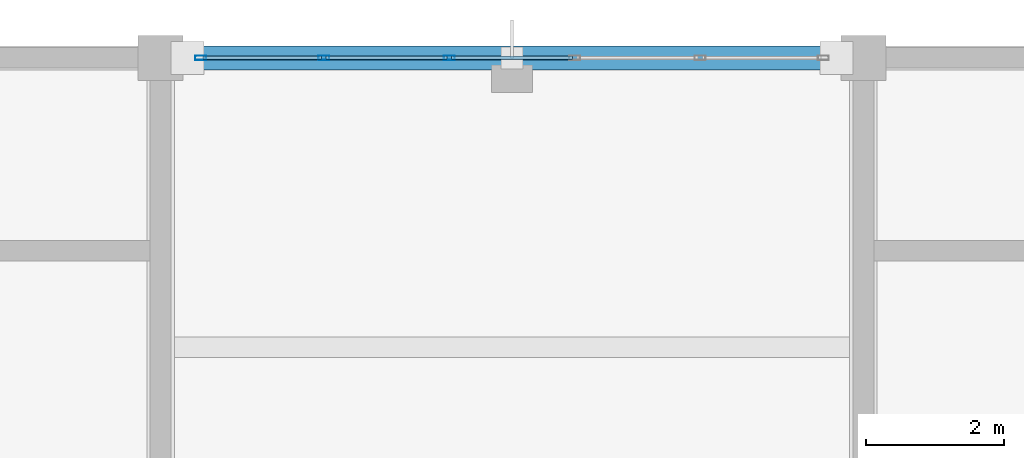
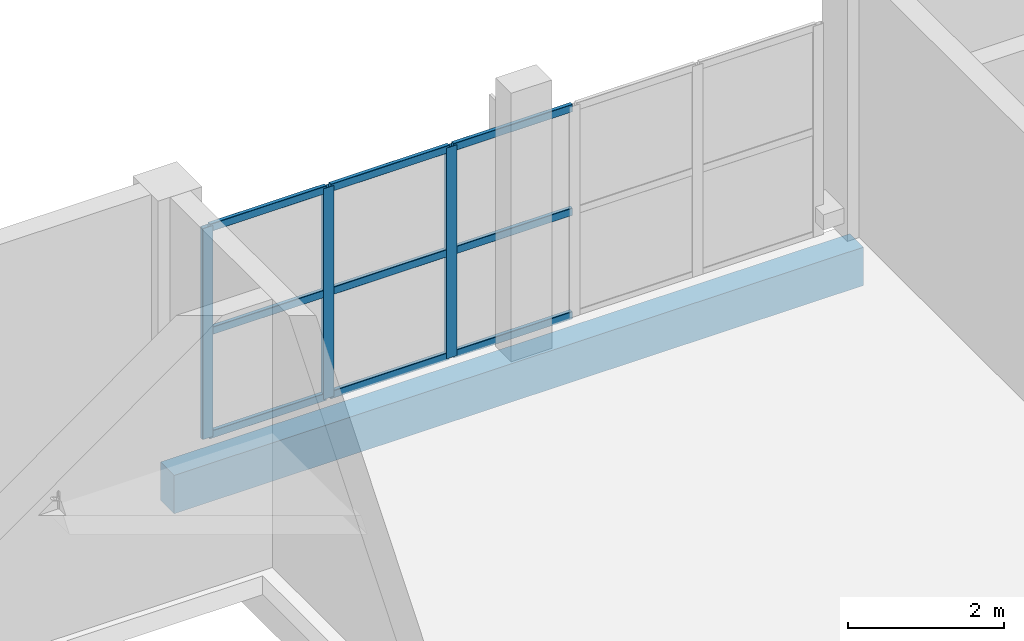
# One storey, part 93 of 135: 12 members, 1 beam, 1 element without a shape of its own.
"""IFC4 building model written with IfcOpenShell, lengths in metres."""

from ifc_helpers import new_model, si_unit, direction, frame, origin, origin_2d, place, context, subcontext, project, spatial, rectangle, hollow_rectangle, extrude, material, material_profile, profile_set, type_object, element, aggregate, save


model = new_model("IFC4")

# Units and contexts
model_context = context("Model", 3, precision=1e-05, world=origin(), true_north=direction((0.0, 1.0)))
body_context = subcontext(model_context, "Body", "Model", "MODEL_VIEW")
ifc_project = project(units=[si_unit("LENGTHUNIT", "METRE"), si_unit("AREAUNIT", "SQUARE_METRE"), si_unit("VOLUMEUNIT", "CUBIC_METRE"), si_unit("PLANEANGLEUNIT", "RADIAN"), si_unit("MASSUNIT", "GRAM", prefix="KILO")], contexts=[model_context])

# Site, building, storey
site_placement = place(None, origin())
site = spatial("IfcSite", under=ifc_project, at=site_placement, CompositionType="ELEMENT")
building_placement = place(site_placement, origin())
building = spatial("IfcBuilding", under=site, at=building_placement, Name="Brelvane Convention Centre", CompositionType="ELEMENT")
storey_placement = place(building_placement, frame((0.0, 0.0, 15.0)))
storey = spatial("IfcBuildingStorey", under=building, at=storey_placement, Name="L03", CompositionType="ELEMENT", Elevation=15.0)

# Curtain wall, members
ifc_material_1 = material(Name="Anodised Aluminium Alloy 6063-T6", Category="aluminium")
curtain_wall_type = type_object("IfcCurtainWallType", Name="Curtain Wall CW-BOUL", PredefinedType="USERDEFINED", material=ifc_material_1)
curtain_wall_placement = place(storey_placement, origin())
curtain_wall = element("IfcCurtainWall", 1, at=curtain_wall_placement, inside=storey, type_object=curtain_wall_type, Name="Curtain Wall CW-BOUL L03-V4N-02", ObjectType="UNITISED", PredefinedType="USERDEFINED")
ifc_material_2 = material(Name="Anodised Aluminium Alloy 6063-T6", Category="aluminium")
ifc_material_profile_1 = material_profile(ifc_material_2, hollow_rectangle(XDim=0.06494140625, YDim=0.159912109375, WallThickness=0.00390625, InnerFilletRadius=0.00390625, OuterFilletRadius=0.008056640625, at=origin_2d()), Name="ALU-M 160x65x4.0")
ifc_profile_set_1 = profile_set([ifc_material_profile_1], Name="Anodised Aluminium Alloy 6063-T6")
member_type_1 = type_object("IfcMemberType", Name="Curtain Mullion CW-M3", PredefinedType="MULLION", material=ifc_profile_set_1)
member_1_placement = place(storey_placement, frame((10.782470703125, 144.0, 0.0), z_axis=(0.0, 0.0, 1.0), x_axis=(0.0, 1.0, 0.0)))
member_1 = element("IfcMember", 2, at=member_1_placement, type_object=member_type_1, Name="CW-BOUL mullion 1", PredefinedType="MULLION", context=body_context, shape_type="SweptSolid", body=[
    extrude(hollow_rectangle(XDim=0.06494140625, YDim=0.159912109375, WallThickness=0.00390625, InnerFilletRadius=0.00390625, OuterFilletRadius=0.008056640625, at=origin_2d()), origin(), (0.0, 0.0, 1.0), 3.300048828125),
])
member_2_placement = place(storey_placement, frame((12.570068359375, 144.0, 0.0), z_axis=(0.0, 0.0, 1.0), x_axis=(0.0, 1.0, 0.0)))
member_2 = element("IfcMember", 3, at=member_2_placement, type_object=member_type_1, Name="CW-BOUL mullion 2", PredefinedType="MULLION", context=body_context, shape_type="SweptSolid", body=[
    extrude(hollow_rectangle(XDim=0.06494140625, YDim=0.159912109375, WallThickness=0.00390625, InnerFilletRadius=0.00390625, OuterFilletRadius=0.008056640625, at=origin_2d()), origin(), (0.0, 0.0, 1.0), 3.300048828125),
])
member_3_placement = place(storey_placement, frame((14.389892578125, 144.0, 0.0), z_axis=(0.0, 0.0, 1.0), x_axis=(0.0, 1.0, 0.0)))
member_3 = element("IfcMember", 4, at=member_3_placement, type_object=member_type_1, Name="CW-BOUL mullion 3", PredefinedType="MULLION", context=body_context, shape_type="SweptSolid", body=[
    extrude(hollow_rectangle(XDim=0.06494140625, YDim=0.159912109375, WallThickness=0.00390625, InnerFilletRadius=0.00390625, OuterFilletRadius=0.008056640625, at=origin_2d()), origin(), (0.0, 0.0, 1.0), 3.300048828125),
])
ifc_material_3 = material(Name="Anodised Aluminium Alloy 6063-T6", Category="aluminium")
ifc_material_profile_2 = material_profile(ifc_material_3, hollow_rectangle(XDim=0.06005859375, YDim=0.1201171875, WallThickness=0.00390625, InnerFilletRadius=0.00390625, OuterFilletRadius=0.008056640625, at=origin_2d()), Name="ALU-T 120x60x4.0")
ifc_profile_set_2 = profile_set([ifc_material_profile_2], Name="Anodised Aluminium Alloy 6063-T6")
member_type_2 = type_object("IfcMemberType", Name="Curtain Transom CW-T3", PredefinedType="USERDEFINED", material=ifc_profile_set_2)
member_4_placement = place(storey_placement, frame((10.81494140625, 144.0, 0.030029296875), z_axis=(1.0, 0.0, 0.0), x_axis=(0.0, 1.0, 0.0)))
member_4 = element("IfcMember", 5, at=member_4_placement, type_object=member_type_2, Name="CW-BOUL transom 1.1", ObjectType="TRANSOM", PredefinedType="USERDEFINED", context=body_context, shape_type="SweptSolid", body=[
    extrude(hollow_rectangle(XDim=0.06005859375, YDim=0.1201171875, WallThickness=0.00390625, InnerFilletRadius=0.00390625, OuterFilletRadius=0.008056640625, at=origin_2d()), origin(), (0.0, 0.0, 1.0), 1.72265625),
])
member_5_placement = place(storey_placement, frame((10.81494140625, 144.0, 1.64990234375), z_axis=(1.0, 0.0, 0.0), x_axis=(0.0, 1.0, 0.0)))
member_5 = element("IfcMember", 6, at=member_5_placement, type_object=member_type_2, Name="CW-BOUL transom 1.2", ObjectType="TRANSOM", PredefinedType="USERDEFINED", context=body_context, shape_type="SweptSolid", body=[
    extrude(hollow_rectangle(XDim=0.06005859375, YDim=0.1201171875, WallThickness=0.00390625, InnerFilletRadius=0.00390625, OuterFilletRadius=0.008056640625, at=origin_2d()), origin(), (0.0, 0.0, 1.0), 1.72265625),
])
member_6_placement = place(storey_placement, frame((10.81494140625, 144.0, 3.27001953125), z_axis=(1.0, 0.0, 0.0), x_axis=(0.0, 1.0, 0.0)))
member_6 = element("IfcMember", 7, at=member_6_placement, type_object=member_type_2, Name="CW-BOUL transom 1.3", ObjectType="TRANSOM", PredefinedType="USERDEFINED", context=body_context, shape_type="SweptSolid", body=[
    extrude(hollow_rectangle(XDim=0.06005859375, YDim=0.1201171875, WallThickness=0.00390625, InnerFilletRadius=0.00390625, OuterFilletRadius=0.008056640625, at=origin_2d()), origin(), (0.0, 0.0, 1.0), 1.72265625),
])
member_7_placement = place(storey_placement, frame((12.6025390625, 144.0, 0.030029296875), z_axis=(1.0, 0.0, 0.0), x_axis=(0.0, 1.0, 0.0)))
member_7 = element("IfcMember", 8, at=member_7_placement, type_object=member_type_2, Name="CW-BOUL transom 2.1", ObjectType="TRANSOM", PredefinedType="USERDEFINED", context=body_context, shape_type="SweptSolid", body=[
    extrude(hollow_rectangle(XDim=0.06005859375, YDim=0.1201171875, WallThickness=0.00390625, InnerFilletRadius=0.00390625, OuterFilletRadius=0.008056640625, at=origin_2d()), origin(), (0.0, 0.0, 1.0), 1.7548828125),
])
member_8_placement = place(storey_placement, frame((12.6025390625, 144.0, 1.64990234375), z_axis=(1.0, 0.0, 0.0), x_axis=(0.0, 1.0, 0.0)))
member_8 = element("IfcMember", 9, at=member_8_placement, type_object=member_type_2, Name="CW-BOUL transom 2.2", ObjectType="TRANSOM", PredefinedType="USERDEFINED", context=body_context, shape_type="SweptSolid", body=[
    extrude(hollow_rectangle(XDim=0.06005859375, YDim=0.1201171875, WallThickness=0.00390625, InnerFilletRadius=0.00390625, OuterFilletRadius=0.008056640625, at=origin_2d()), origin(), (0.0, 0.0, 1.0), 1.7548828125),
])
member_9_placement = place(storey_placement, frame((12.6025390625, 144.0, 3.27001953125), z_axis=(1.0, 0.0, 0.0), x_axis=(0.0, 1.0, 0.0)))
member_9 = element("IfcMember", 10, at=member_9_placement, type_object=member_type_2, Name="CW-BOUL transom 2.3", ObjectType="TRANSOM", PredefinedType="USERDEFINED", context=body_context, shape_type="SweptSolid", body=[
    extrude(hollow_rectangle(XDim=0.06005859375, YDim=0.1201171875, WallThickness=0.00390625, InnerFilletRadius=0.00390625, OuterFilletRadius=0.008056640625, at=origin_2d()), origin(), (0.0, 0.0, 1.0), 1.7548828125),
])
member_10_placement = place(storey_placement, frame((14.422607421875, 144.0, 0.030029296875), z_axis=(1.0, 0.0, 0.0), x_axis=(0.0, 1.0, 0.0)))
member_10 = element("IfcMember", 11, at=member_10_placement, type_object=member_type_2, Name="CW-BOUL transom 3.1", ObjectType="TRANSOM", PredefinedType="USERDEFINED", context=body_context, shape_type="SweptSolid", body=[
    extrude(hollow_rectangle(XDim=0.06005859375, YDim=0.1201171875, WallThickness=0.00390625, InnerFilletRadius=0.00390625, OuterFilletRadius=0.008056640625, at=origin_2d()), origin(), (0.0, 0.0, 1.0), 1.7548828125),
])
member_11_placement = place(storey_placement, frame((14.422607421875, 144.0, 1.64990234375), z_axis=(1.0, 0.0, 0.0), x_axis=(0.0, 1.0, 0.0)))
member_11 = element("IfcMember", 12, at=member_11_placement, type_object=member_type_2, Name="CW-BOUL transom 3.2", ObjectType="TRANSOM", PredefinedType="USERDEFINED", context=body_context, shape_type="SweptSolid", body=[
    extrude(hollow_rectangle(XDim=0.06005859375, YDim=0.1201171875, WallThickness=0.00390625, InnerFilletRadius=0.00390625, OuterFilletRadius=0.008056640625, at=origin_2d()), origin(), (0.0, 0.0, 1.0), 1.7548828125),
])
member_12_placement = place(storey_placement, frame((14.422607421875, 144.0, 3.27001953125), z_axis=(1.0, 0.0, 0.0), x_axis=(0.0, 1.0, 0.0)))
member_12 = element("IfcMember", 13, at=member_12_placement, type_object=member_type_2, Name="CW-BOUL transom 3.3", ObjectType="TRANSOM", PredefinedType="USERDEFINED", context=body_context, shape_type="SweptSolid", body=[
    extrude(hollow_rectangle(XDim=0.06005859375, YDim=0.1201171875, WallThickness=0.00390625, InnerFilletRadius=0.00390625, OuterFilletRadius=0.008056640625, at=origin_2d()), origin(), (0.0, 0.0, 1.0), 1.7548828125),
])
aggregate(curtain_wall, [member_1, member_2, member_3, member_4, member_5, member_6, member_7, member_8, member_9, member_10, member_11, member_12])

# Beam
ifc_material_4 = material(Name="Concrete M40", Category="concrete")
ifc_material_profile_3 = material_profile(ifc_material_4, rectangle(XDim=0.35009765625, YDim=0.60009765625, at=origin_2d()), Name="RC 350x600")
ifc_profile_set_3 = profile_set([ifc_material_profile_3], Name="Concrete M40")
beam_type = type_object("IfcBeamType", Name="RC Spandrel SP-RC2 (RC 350x600)", PredefinedType="SPANDREL", material=ifc_profile_set_3)
beam_placement = place(storey_placement, frame((10.199951171875, 144.0, -0.594970703125), z_axis=(1.0, 0.0, 0.0), x_axis=(0.0, 1.0, 0.0)))
element("IfcBeam", 14, at=beam_placement, inside=storey, type_object=beam_type, Name="L03 Beam 2-3/Q", PredefinedType="SPANDREL", context=body_context, shape_type="SweptSolid", body=[
    extrude(rectangle(XDim=0.35009765625, YDim=0.60009765625, at=origin_2d()), origin(), (0.0, 0.0, 1.0), 10.199951171875),
])

save(model, "model.ifc")
